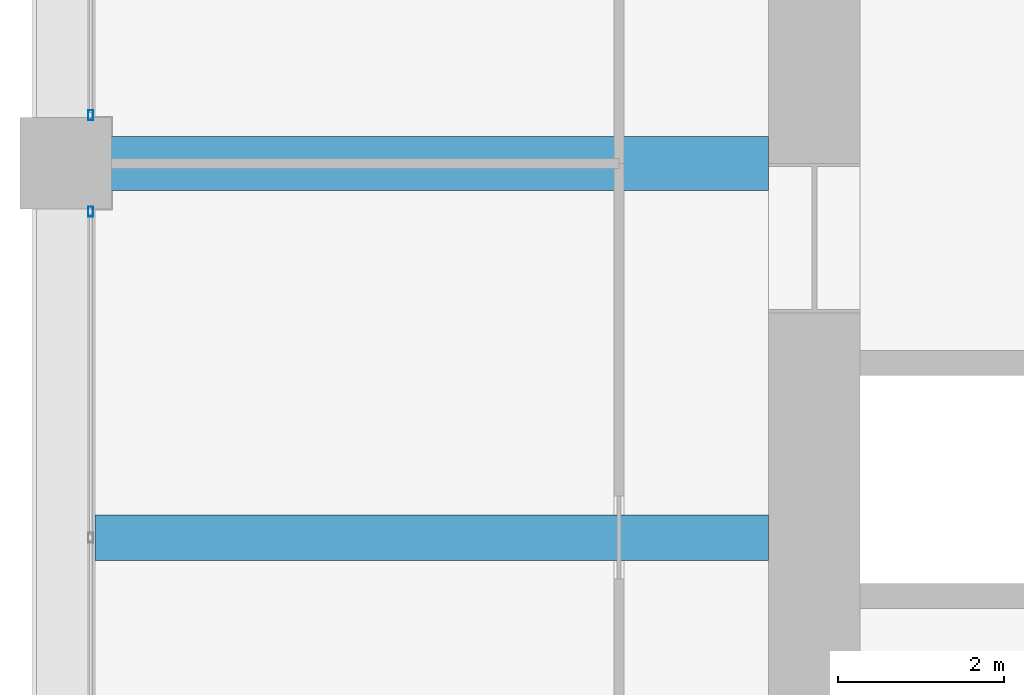
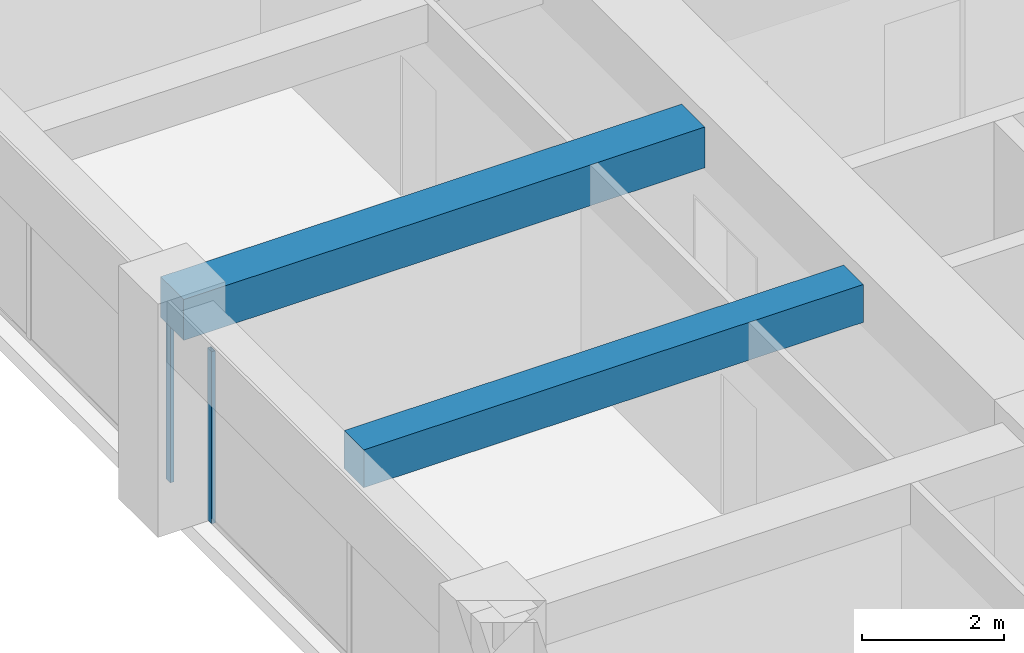
# One storey, part 15 of 44: 2 beams, 2 members, 2 elements without a shape of their own.
"""IFC4 building model written with IfcOpenShell, lengths in metres."""

from ifc_helpers import new_model, si_unit, direction, frame, origin, origin_2d, place, context, subcontext, project, spatial, rectangle, hollow_rectangle, extrude, material, material_profile, profile_set, type_object, element, aggregate, save


model = new_model("IFC4")

# Units and contexts
model_context = context("Model", 3, precision=1e-05, world=origin(), true_north=direction((0.0, 1.0)))
body_context = subcontext(model_context, "Body", "Model", "MODEL_VIEW")
ifc_project = project(units=[si_unit("LENGTHUNIT", "METRE"), si_unit("AREAUNIT", "SQUARE_METRE"), si_unit("VOLUMEUNIT", "CUBIC_METRE"), si_unit("PLANEANGLEUNIT", "RADIAN"), si_unit("MASSUNIT", "GRAM", prefix="KILO")], contexts=[model_context])

# Site, building, storey
site_placement = place(None, origin())
site = spatial("IfcSite", under=ifc_project, at=site_placement, CompositionType="ELEMENT")
building_placement = place(site_placement, origin())
building = spatial("IfcBuilding", under=site, at=building_placement, Name="Zorevar Civic Tower", CompositionType="ELEMENT")
storey_placement = place(building_placement, frame((0.0, 0.0, 295.39990234375)))
storey = spatial("IfcBuildingStorey", under=building, at=storey_placement, Name="L72", CompositionType="ELEMENT", Elevation=295.39990234375)

# Beams
ifc_material_1 = material(Name="Concrete C50/60", Category="concrete")
ifc_material_profile_1 = material_profile(ifc_material_1, rectangle(XDim=0.550048828125, YDim=0.64990234375, at=origin_2d()), Name="RC 550x650")
ifc_profile_set_1 = profile_set([ifc_material_profile_1], Name="Concrete C50/60")
beam_type_1 = type_object("IfcBeamType", Name="Beam RC 550x650", PredefinedType="BEAM", material=ifc_profile_set_1)
beam_1_placement = place(storey_placement, frame((9.35009765625, 22.5, 3.425048828125), z_axis=(1.0, 0.0, 0.0), x_axis=(0.0, 1.0, 0.0)))
element("IfcBeam", 1, at=beam_1_placement, inside=storey, type_object=beam_type_1, Name="Secondary beam L73", PredefinedType="BEAM", context=body_context, shape_type="SweptSolid", body=[
    extrude(rectangle(XDim=0.550048828125, YDim=0.64990234375, at=origin_2d()), origin(), (0.0, 0.0, 1.0), 8.099853515625),
])
ifc_material_2 = material(Name="Concrete C50/60", Category="concrete")
ifc_material_profile_2 = material_profile(ifc_material_2, rectangle(XDim=0.64990234375, YDim=0.699951171875, at=origin_2d()), Name="RC 650x700")
ifc_profile_set_2 = profile_set([ifc_material_profile_2], Name="Concrete C50/60")
beam_type_2 = type_object("IfcBeamType", Name="Beam RC 650x700", PredefinedType="BEAM", material=ifc_profile_set_2)
beam_2_placement = place(storey_placement, frame((9.0, 27.0, 3.400146484375), z_axis=(1.0, 0.0, 0.0), x_axis=(0.0, 1.0, 0.0)))
element("IfcBeam", 2, at=beam_2_placement, inside=storey, type_object=beam_type_2, Name="Girder L73", PredefinedType="BEAM", context=body_context, shape_type="SweptSolid", body=[
    extrude(rectangle(XDim=0.64990234375, YDim=0.699951171875, at=origin_2d()), origin(), (0.0, 0.0, 1.0), 8.449951171875),
])

# Curtain wall, member
ifc_material_3 = material(Name="Dark grey solar-control glass in black aluminium frame", Category="aluminium")
curtain_wall_type = type_object("IfcCurtainWallType", Name="Curtain wall CW5 top zone", PredefinedType="NOTDEFINED", material=ifc_material_3)
curtain_wall_1_placement = place(storey_placement, origin())
curtain_wall_1 = element("IfcCurtainWall", 3, at=curtain_wall_1_placement, inside=storey, type_object=curtain_wall_type, Name="CW5 L72", PredefinedType="NOTDEFINED")
ifc_material_4 = material(Name="Aluminium, black anodised", Category="aluminium")
ifc_material_profile_3 = material_profile(ifc_material_4, hollow_rectangle(XDim=0.06005859375, YDim=0.1201171875, WallThickness=0.0029296875, at=origin_2d()), Name="AL 120x60x3")
ifc_profile_set_3 = profile_set([ifc_material_profile_3], Name="Aluminium, black anodised")
member_type = type_object("IfcMemberType", Name="CW5 mullion AL 120x60x3", PredefinedType="MULLION", material=ifc_profile_set_3)
member_1_placement = place(storey_placement, frame((9.300048828125, 26.419921875, 0.0), z_axis=(0.0, 0.0, 1.0), x_axis=(-1.0, 0.0, 0.0)))
member_1 = element("IfcMember", 4, at=member_1_placement, type_object=member_type, Name="CW5 mullion 3", PredefinedType="MULLION", context=body_context, shape_type="SweptSolid", body=[
    extrude(hollow_rectangle(XDim=0.06005859375, YDim=0.1201171875, WallThickness=0.0029296875, at=origin_2d()), origin(), (0.0, 0.0, 1.0), 2.9501953125),
])
aggregate(curtain_wall_1, [member_1])

curtain_wall_2_placement = place(storey_placement, origin())
curtain_wall_2 = element("IfcCurtainWall", 5, at=curtain_wall_2_placement, inside=storey, type_object=curtain_wall_type, Name="CW5 L72", PredefinedType="NOTDEFINED")
member_2_placement = place(storey_placement, frame((9.300048828125, 27.580078125, 0.0), z_axis=(0.0, 0.0, 1.0), x_axis=(-1.0, 0.0, 0.0)))
member_2 = element("IfcMember", 6, at=member_2_placement, type_object=member_type, Name="CW5 mullion 1", PredefinedType="MULLION", context=body_context, shape_type="SweptSolid", body=[
    extrude(hollow_rectangle(XDim=0.06005859375, YDim=0.1201171875, WallThickness=0.0029296875, at=origin_2d()), origin(), (0.0, 0.0, 1.0), 2.9501953125),
])
aggregate(curtain_wall_2, [member_2])

save(model, "model.ifc")
